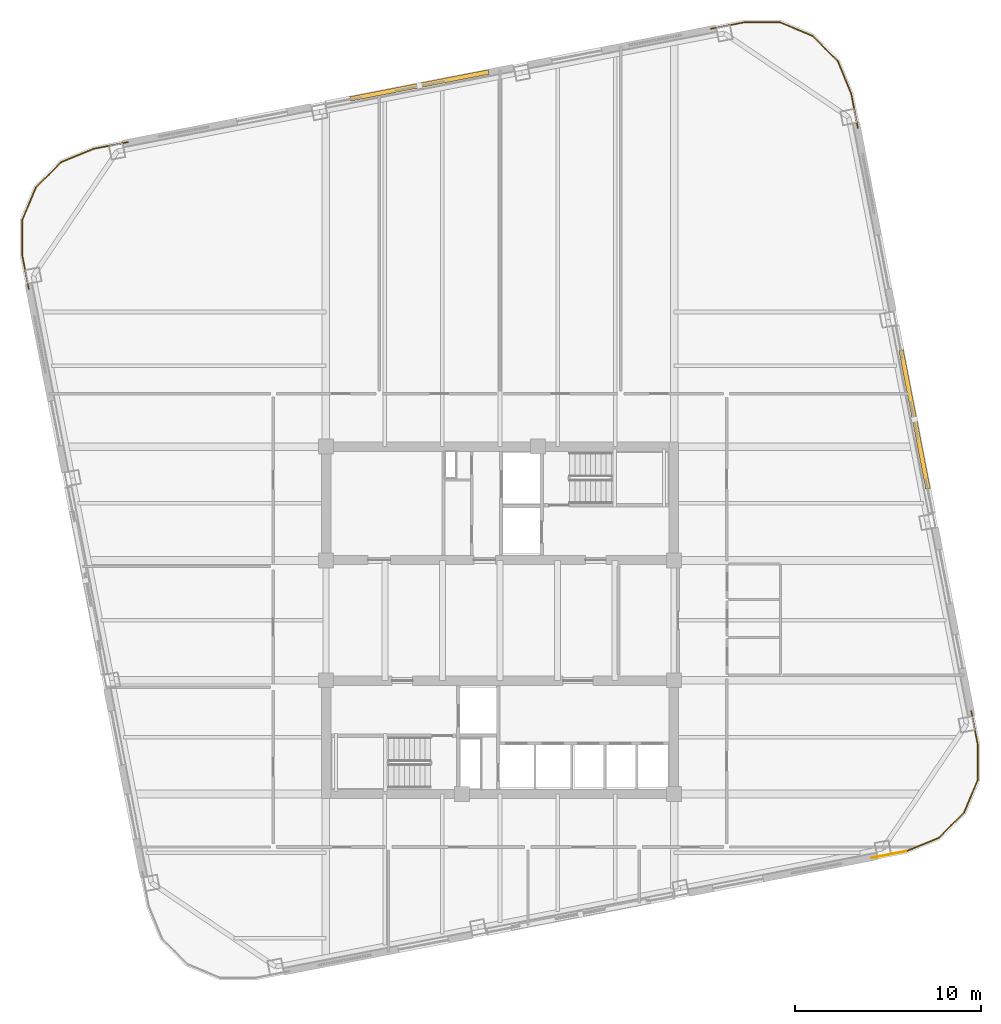
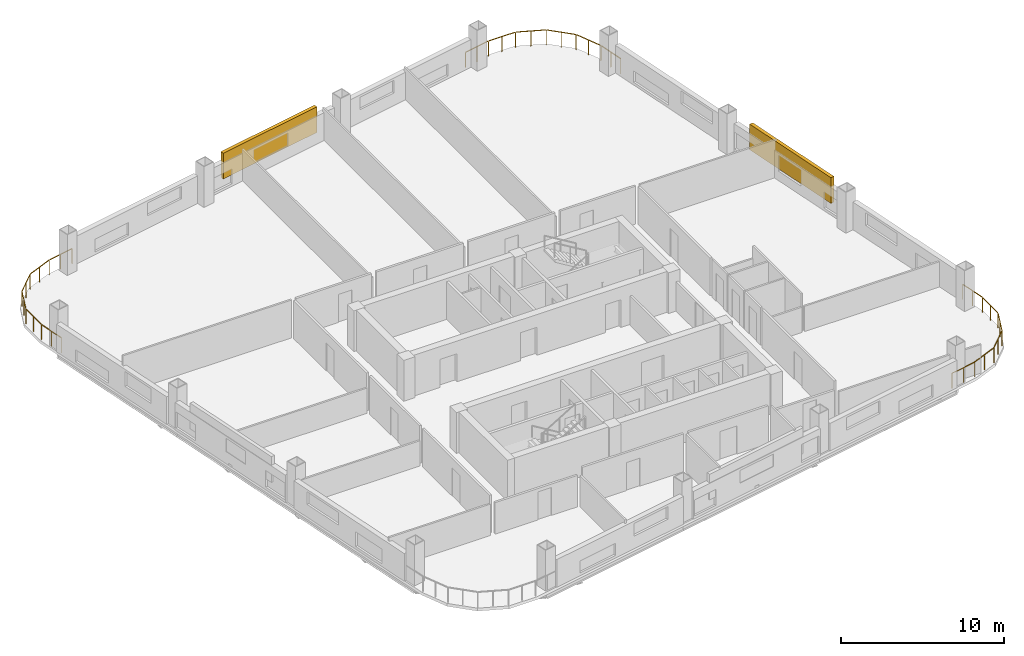
# One storey, part 9 of 9: 4 railings, 2 shading devices.
"""IFC4 building model written with IfcOpenShell, lengths in metres."""

import ifcopenshell
import ifcopenshell.guid

model = None  # the IFC model being written
_history = None  # IfcOwnerHistory: only IFC2X3 demands one
_inside = {}  # id of a spatial element -> (the spatial element, [elements in it])
_under = {}  # id of a project, library or spatial element -> (it, [spatial elements below it])
_declared = {}  # id of a project -> (the project, [libraries it declares])
_typed = {}  # id of a type object -> (the type object, [elements of that type])
_made_of = {}  # id of a material, layer set ... -> (it, [elements and type objects made of it])


def new_model(schema):
    """Start an empty IFC model of exactly this schema.

    Asked for "IFC4X3", IfcOpenShell would pick the latest addendum, in which some entities
    have other attributes; the version numbers below select the first issue.
    IFC2X3 requires an IfcOwnerHistory on every rooted entity: one is made here for all.
    """
    global model, _history
    if schema == "IFC4X3":
        model = ifcopenshell.file(schema_version=(4, 3, 0, 0))
    else:
        model = ifcopenshell.file(schema=schema)
    _inside.clear()
    _under.clear()
    _declared.clear()
    _typed.clear()
    _made_of.clear()
    _history = None
    if model.schema == "IFC2X3":
        org = make("IfcOrganization", Name="unknown")
        user = make(
            "IfcPersonAndOrganization",
            ThePerson=make("IfcPerson", FamilyName="unknown"),
            TheOrganization=org,
        )
        app = make(
            "IfcApplication",
            ApplicationDeveloper=org,
            Version="unknown",
            ApplicationFullName="unknown",
            ApplicationIdentifier="unknown",
        )
        _history = make(
            "IfcOwnerHistory",
            OwningUser=user,
            OwningApplication=app,
            ChangeAction="ADDED",
            CreationDate=0,
        )
    return model


def make(cls, **values):
    """One entity of the class cls with the attributes given. An attribute that is None is left unset."""
    return model.create_entity(
        cls, **{name: value for name, value in values.items() if value is not None}
    )


def rooted(cls, **values):
    """An entity with a GlobalId (a new one), such as an element, a storey or a relation."""
    return make(cls, GlobalId=ifcopenshell.guid.new(), OwnerHistory=_history, **values)


def si_unit(unit_type, name, prefix=None):
    """IfcSIUnit, for example si_unit("LENGTHUNIT", "METRE", prefix="MILLI")."""
    return make("IfcSIUnit", UnitType=unit_type, Prefix=prefix, Name=name)


def assignment(units):
    """IfcUnitAssignment: the units of a project."""
    return None if units is None else make("IfcUnitAssignment", Units=units)


def point(xyz):
    """IfcCartesianPoint."""
    return None if xyz is None else make("IfcCartesianPoint", Coordinates=xyz)


def direction(xyz):
    """IfcDirection."""
    return None if xyz is None else make("IfcDirection", DirectionRatios=xyz)


def frame(location, z_axis=None, x_axis=None):
    """IfcAxis2Placement3D, a coordinate frame: its origin and axes. An axis left out is left unset."""
    return make(
        "IfcAxis2Placement3D",
        Location=point(location),
        Axis=direction(z_axis),
        RefDirection=direction(x_axis),
    )


def frame_2d(location, x_axis=None):
    """IfcAxis2Placement2D, a coordinate frame in the plane: its origin and x axis."""
    return make(
        "IfcAxis2Placement2D", Location=point(location), RefDirection=direction(x_axis)
    )


def origin():
    """The frame at (0, 0, 0) with its axes left unset."""
    return frame((0.0, 0.0, 0.0))


def origin_2d():
    """The frame at (0, 0) in the plane with its x axis left unset."""
    return frame_2d((0.0, 0.0))


def place(relative_to, where):
    """IfcLocalPlacement: puts the frame where relative to a parent placement (None: the world)."""
    return make(
        "IfcLocalPlacement", PlacementRelTo=relative_to, RelativePlacement=where
    )


def context(
    kind, dimensions, precision=None, world=None, true_north=None, identifier=None
):
    """IfcGeometricRepresentationContext, for example the 3D "Model" context."""
    return make(
        "IfcGeometricRepresentationContext",
        ContextIdentifier=identifier,
        ContextType=kind,
        CoordinateSpaceDimension=dimensions,
        Precision=precision,
        WorldCoordinateSystem=world,
        TrueNorth=true_north,
    )


def subcontext(parent, identifier, kind, view, scale=None):
    """IfcGeometricRepresentationSubContext, for example "Body" below "Model"."""
    return make(
        "IfcGeometricRepresentationSubContext",
        ContextIdentifier=identifier,
        ContextType=kind,
        ParentContext=parent,
        TargetScale=scale,
        TargetView=view,
    )


def project(units=None, contexts=None):
    """IfcProject with its units and contexts."""
    return rooted(
        "IfcProject",
        Name="project",
        RepresentationContexts=contexts,
        UnitsInContext=assignment(units),
    )


def spatial(cls, under=None, at=None, **own):
    """A site, building, storey or space (cls), placed at a placement, below another one or the project."""
    s = rooted(cls, ObjectPlacement=at, **own)
    if under is not None:
        _under.setdefault(under.id(), (under, []))[1].append(s)
    return s


def profile(cls, at=None, kind="AREA", **sizes):
    """A parametric profile (cls). Its sizes go by their IFC names, for example OverallWidth=200.0."""
    return make(cls, ProfileType=kind, Position=at, **sizes)


def rectangle(**sizes):
    """IfcRectangleProfileDef."""
    return profile("IfcRectangleProfileDef", **sizes)


def extrude(swept, where, along, depth):
    """IfcExtrudedAreaSolid: the profile swept, set in the frame where, extruded along a direction by depth."""
    return make(
        "IfcExtrudedAreaSolid",
        SweptArea=swept,
        Position=where,
        ExtrudedDirection=direction(along),
        Depth=depth,
    )


def shape(context_of_items, identifier, shape_type, items):
    """IfcShapeRepresentation: the items that make up one representation, for example the "Body"."""
    return make(
        "IfcShapeRepresentation",
        ContextOfItems=context_of_items,
        RepresentationIdentifier=identifier,
        RepresentationType=shape_type,
        Items=items,
    )


def material(Name=None, Category=None):
    """IfcMaterial."""
    return make("IfcMaterial", Name=Name, Category=Category)


def made_of(thing, what):
    """Note that an element or type object is made of a material, layer set ...; save() writes the relation."""
    if what is not None:
        _made_of.setdefault(what.id(), (what, []))[1].append(thing)
    return thing


def type_object(cls, material=None, **own):
    """A type object (cls), such as IfcWallType, which elements share."""
    return made_of(rooted(cls, **own), material)


def element(
    cls,
    number,
    at=None,
    inside=None,
    cuts=None,
    type_object=None,
    material=None,
    context=None,
    identifier="Body",
    shape_type=None,
    held_by="IfcProductDefinitionShape",
    body=None,
    shapes=None,
    **own,
):
    """One element of the class cls, such as IfcWall. Its Tag is "e" and its number.

    at: its placement. inside: the storey or other place that contains it. cuts: it is an
    opening in that element (IfcRelVoidsElement). A single representation is given by context,
    identifier, shape_type and body (its items); several are given by shapes. held_by: the class
    of the entity that holds the representations. save() writes the other relations.
    """
    e = rooted(cls, Tag="e%d" % number, ObjectPlacement=at, **own)
    if body is not None:
        shapes = [shape(context, identifier, shape_type, body)]
    if shapes is not None:
        e.Representation = make(held_by, Representations=shapes)
    if inside is not None:
        _inside.setdefault(inside.id(), (inside, []))[1].append(e)
    if cuts is not None:
        rooted(
            "IfcRelVoidsElement", RelatingBuildingElement=cuts, RelatedOpeningElement=e
        )
    if type_object is not None:
        _typed.setdefault(type_object.id(), (type_object, []))[1].append(e)
    return made_of(e, material)


def aggregate(whole, parts):
    """IfcRelAggregates: a whole, such as a stair, and the parts it consists of."""
    return rooted("IfcRelAggregates", RelatingObject=whole, RelatedObjects=parts)


def save(model, path):
    """Write the relations noted so far, then the file.

    IfcRelAggregates (storeys below a building ...), IfcRelContainedInSpatialStructure (elements
    in a storey), IfcRelDefinesByType, IfcRelAssociatesMaterial and IfcRelDeclares: one each for
    every whole, place, type object, material and project.
    """
    for whole, parts in _under.values():
        aggregate(whole, parts)
    for where, things in _inside.values():
        rooted(
            "IfcRelContainedInSpatialStructure",
            RelatedElements=things,
            RelatingStructure=where,
        )
    for kind, things in _typed.values():
        rooted("IfcRelDefinesByType", RelatedObjects=things, RelatingType=kind)
    for what, things in _made_of.values():
        rooted("IfcRelAssociatesMaterial", RelatedObjects=things, RelatingMaterial=what)
    for by, libraries in _declared.values():
        rooted("IfcRelDeclares", RelatingContext=by, RelatedDefinitions=libraries)
    model.write(path)


model = new_model("IFC4")

# Units and contexts
model_context = context("Model", 3, precision=1e-05, world=origin(), true_north=direction((0.0, 1.0)))
body_context = subcontext(model_context, "Body", "Model", "MODEL_VIEW")
ifc_project = project(units=[si_unit("LENGTHUNIT", "METRE"), si_unit("AREAUNIT", "SQUARE_METRE"), si_unit("VOLUMEUNIT", "CUBIC_METRE"), si_unit("PLANEANGLEUNIT", "RADIAN"), si_unit("MASSUNIT", "GRAM", prefix="KILO")], contexts=[model_context])

# Site, building, storey
site_placement = place(None, origin())
site = spatial("IfcSite", under=ifc_project, at=site_placement, CompositionType="ELEMENT")
building_placement = place(site_placement, origin())
building = spatial("IfcBuilding", under=site, at=building_placement, Name="Qhalaya Broadcast Tower", CompositionType="ELEMENT")
storey_placement = place(building_placement, frame((0.0, 0.0, 134.14990234375)))
storey = spatial("IfcBuildingStorey", under=building, at=storey_placement, Name="L39", CompositionType="ELEMENT", Elevation=134.14990234375)

# Railings
ifc_material_1 = material(Name="Powder-Coated Galvanised Steel", Category="steel")
railing_type = type_object("IfcRailingType", Name="Terrace, Sky-Pool & Lookout Glass Balustrade 1150", PredefinedType="BALUSTRADE", material=ifc_material_1)
railing_1_placement = place(storey_placement, frame((21.847412109375, -11.82861328125, 0.0)))
element("IfcRailing", 1, at=railing_1_placement, inside=storey, type_object=railing_type, Name="L39 Rounded Corner Perimeter Guard 01", PredefinedType="BALUSTRADE", context=body_context, shape_type="SweptSolid", body=[
    extrude(rectangle(XDim=0.048095703125, YDim=0.048095703125, at=origin_2d()), frame((0.0, 0.0, 1.1259765625), z_axis=(-0.981618812261, -0.190852056357, 0.0), x_axis=(0.190852056357, -0.981618812261, 0.0)), (0.0, 0.0, 1.0), 1.856201171875),
    extrude(rectangle(XDim=0.0419921875, YDim=0.0419921875, at=origin_2d()), origin(), (0.0, 0.0, 1.0), 1.099853515625),
    extrude(rectangle(XDim=0.0419921875, YDim=0.0419921875, at=origin_2d()), frame((-0.9111328125, -0.17724609375, 0.0)), (0.0, 0.0, 1.0), 1.099853515625),
    extrude(rectangle(XDim=0.0419921875, YDim=0.0419921875, at=origin_2d()), frame((-1.822021484375, -0.354248046875, 0.0)), (0.0, 0.0, 1.0), 1.099853515625),
])
railing_2_placement = place(storey_placement, frame((-25.36181640625, 18.43115234375, 0.0)))
element("IfcRailing", 2, at=railing_2_placement, inside=storey, type_object=railing_type, Name="L39 Rounded Corner Perimeter Guard 03", PredefinedType="BALUSTRADE", context=body_context, shape_type="SweptSolid", body=[
    extrude(rectangle(XDim=0.048095703125, YDim=0.048095703125, at=origin_2d()), frame((0.0, 0.0, 1.1259765625), z_axis=(-0.190827417864, 0.981623602299, 0.0), x_axis=(-0.981623602299, -0.190827417864, 0.0)), (0.0, 0.0, 1.0), 1.82763671875),
    extrude(rectangle(XDim=0.048095703125, YDim=0.048095703125, at=origin_2d()), frame((-0.35400390625, 1.85107421875, 1.1259765625), z_axis=(0.004334482484, 0.999990606087, 0.0), x_axis=(-0.999990606087, 0.004334482484, 0.0)), (0.0, 0.0, 1.0), 1.857421875),
    extrude(rectangle(XDim=0.048095703125, YDim=0.048095703125, at=origin_2d()), frame((-0.334716796875, 3.763916015625, 1.1259765625), z_axis=(0.386754828875, 0.922182575384, 0.0), x_axis=(-0.922182575384, 0.386754828875, 0.0)), (0.0, 0.0, 1.0), 1.845458984375),
    extrude(rectangle(XDim=0.048095703125, YDim=0.048095703125, at=origin_2d()), frame((0.41064453125, 5.5126953125, 1.1259765625), z_axis=(0.710178888649, 0.704021268228, 0.0), x_axis=(-0.704021268228, 0.710178888649, 0.0)), (0.0, 0.0, 1.0), 1.845458984375),
    extrude(rectangle(XDim=0.048095703125, YDim=0.048095703125, at=origin_2d()), frame((1.768310546875, 6.84326171875, 1.1259765625), z_axis=(0.92552055863, 0.378697366711, 0.0), x_axis=(-0.378697366711, 0.92552055863, 0.0)), (0.0, 0.0, 1.0), 1.857666015625),
    extrude(rectangle(XDim=0.048095703125, YDim=0.048095703125, at=origin_2d()), frame((3.542724609375, 7.563232421875, 1.1259765625), z_axis=(0.981643446311, 0.190725311155, 0.0), x_axis=(-0.190725311155, 0.981643446311, 0.0)), (0.0, 0.0, 1.0), 1.8271484375),
    extrude(rectangle(XDim=0.0419921875, YDim=0.0419921875, at=origin_2d()), origin(), (0.0, 0.0, 1.0), 1.099853515625),
    extrude(rectangle(XDim=0.0419921875, YDim=0.0419921875, at=origin_2d()), frame((-0.17724609375, 0.9111328125, 0.0)), (0.0, 0.0, 1.0), 1.099853515625),
    extrude(rectangle(XDim=0.0419921875, YDim=0.0419921875, at=origin_2d()), frame((-0.354248046875, 1.822265625, 0.0)), (0.0, 0.0, 1.0), 1.099853515625),
    extrude(rectangle(XDim=0.0419921875, YDim=0.0419921875, at=origin_2d()), frame((-0.35009765625, 2.77978515625, 0.0)), (0.0, 0.0, 1.0), 1.099853515625),
    extrude(rectangle(XDim=0.0419921875, YDim=0.0419921875, at=origin_2d()), frame((-0.345947265625, 3.7373046875, 0.0)), (0.0, 0.0, 1.0), 1.099853515625),
    extrude(rectangle(XDim=0.0419921875, YDim=0.0419921875, at=origin_2d()), frame((0.02197265625, 4.61474609375, 0.0)), (0.0, 0.0, 1.0), 1.099853515625),
    extrude(rectangle(XDim=0.0419921875, YDim=0.0419921875, at=origin_2d()), frame((0.39013671875, 5.492431640625, 0.0)), (0.0, 0.0, 1.0), 1.099853515625),
    extrude(rectangle(XDim=0.0419921875, YDim=0.0419921875, at=origin_2d()), frame((1.06591796875, 6.162353515625, 0.0)), (0.0, 0.0, 1.0), 1.099853515625),
    extrude(rectangle(XDim=0.0419921875, YDim=0.0419921875, at=origin_2d()), frame((1.74169921875, 6.832275390625, 0.0)), (0.0, 0.0, 1.0), 1.099853515625),
    extrude(rectangle(XDim=0.0419921875, YDim=0.0419921875, at=origin_2d()), frame((2.6279296875, 7.19482421875, 0.0)), (0.0, 0.0, 1.0), 1.099853515625),
    extrude(rectangle(XDim=0.0419921875, YDim=0.0419921875, at=origin_2d()), frame((3.514404296875, 7.5576171875, 0.0)), (0.0, 0.0, 1.0), 1.099853515625),
    extrude(rectangle(XDim=0.0419921875, YDim=0.0419921875, at=origin_2d()), frame((4.42529296875, 7.734619140625, 0.0)), (0.0, 0.0, 1.0), 1.099853515625),
    extrude(rectangle(XDim=0.0419921875, YDim=0.0419921875, at=origin_2d()), frame((5.33642578125, 7.91162109375, 0.0)), (0.0, 0.0, 1.0), 1.099853515625),
])
railing_3_placement = place(storey_placement, frame((11.351318359375, 32.44189453125, 0.0)))
element("IfcRailing", 3, at=railing_3_placement, inside=storey, type_object=railing_type, Name="L39 Rounded Corner Perimeter Guard 04", PredefinedType="BALUSTRADE", context=body_context, shape_type="SweptSolid", body=[
    extrude(rectangle(XDim=0.048095703125, YDim=0.048095703125, at=origin_2d()), frame((0.0, 0.0, 1.1259765625), z_axis=(0.981643446311, 0.190725311155, 0.0), x_axis=(-0.190725311155, 0.981643446311, 0.0)), (0.0, 0.0, 1.0), 1.8271484375),
    extrude(rectangle(XDim=0.048095703125, YDim=0.048095703125, at=origin_2d()), frame((1.850830078125, 0.353759765625, 1.1259765625), z_axis=(0.999990606087, -0.004334482484, 0.0), x_axis=(0.004334482484, 0.999990606087, 0.0)), (0.0, 0.0, 1.0), 1.857421875),
    extrude(rectangle(XDim=0.048095703125, YDim=0.048095703125, at=origin_2d()), frame((3.763671875, 0.33447265625, 1.1259765625), z_axis=(0.922247496545, -0.386599993684, 0.0), x_axis=(0.386599993684, 0.922247496545, 0.0)), (0.0, 0.0, 1.0), 1.845703125),
    extrude(rectangle(XDim=0.048095703125, YDim=0.048095703125, at=origin_2d()), frame((5.5126953125, -0.41064453125, 1.1259765625), z_axis=(0.704021268228, -0.710178888649, 0.0), x_axis=(0.710178888649, 0.704021268228, 0.0)), (0.0, 0.0, 1.0), 1.845458984375),
    extrude(rectangle(XDim=0.048095703125, YDim=0.048095703125, at=origin_2d()), frame((6.84326171875, -1.768310546875, 1.1259765625), z_axis=(0.378588174109, -0.925565229698, 0.0), x_axis=(0.925565229698, 0.378588174109, 0.0)), (0.0, 0.0, 1.0), 1.857666015625),
    extrude(rectangle(XDim=0.048095703125, YDim=0.048095703125, at=origin_2d()), frame((7.56298828125, -3.542724609375, 1.1259765625), z_axis=(0.190725311155, -0.981643446311, 0.0), x_axis=(0.981643446311, 0.190725311155, 0.0)), (0.0, 0.0, 1.0), 1.8271484375),
    extrude(rectangle(XDim=0.0419921875, YDim=0.0419921875, at=origin_2d()), origin(), (0.0, 0.0, 1.0), 1.099853515625),
    extrude(rectangle(XDim=0.0419921875, YDim=0.0419921875, at=origin_2d()), frame((0.9111328125, 0.177001953125, 0.0)), (0.0, 0.0, 1.0), 1.099853515625),
    extrude(rectangle(XDim=0.0419921875, YDim=0.0419921875, at=origin_2d()), frame((1.822021484375, 0.35400390625, 0.0)), (0.0, 0.0, 1.0), 1.099853515625),
    extrude(rectangle(XDim=0.0419921875, YDim=0.0419921875, at=origin_2d()), frame((2.779541015625, 0.349853515625, 0.0)), (0.0, 0.0, 1.0), 1.099853515625),
    extrude(rectangle(XDim=0.0419921875, YDim=0.0419921875, at=origin_2d()), frame((3.737060546875, 0.345703125, 0.0)), (0.0, 0.0, 1.0), 1.099853515625),
    extrude(rectangle(XDim=0.0419921875, YDim=0.0419921875, at=origin_2d()), frame((4.61474609375, -0.022216796875, 0.0)), (0.0, 0.0, 1.0), 1.099853515625),
    extrude(rectangle(XDim=0.0419921875, YDim=0.0419921875, at=origin_2d()), frame((5.492431640625, -0.39013671875, 0.0)), (0.0, 0.0, 1.0), 1.099853515625),
    extrude(rectangle(XDim=0.0419921875, YDim=0.0419921875, at=origin_2d()), frame((6.162353515625, -1.06591796875, 0.0)), (0.0, 0.0, 1.0), 1.099853515625),
    extrude(rectangle(XDim=0.0419921875, YDim=0.0419921875, at=origin_2d()), frame((6.832275390625, -1.74169921875, 0.0)), (0.0, 0.0, 1.0), 1.099853515625),
    extrude(rectangle(XDim=0.0419921875, YDim=0.0419921875, at=origin_2d()), frame((7.19482421875, -2.6279296875, 0.0)), (0.0, 0.0, 1.0), 1.099853515625),
    extrude(rectangle(XDim=0.0419921875, YDim=0.0419921875, at=origin_2d()), frame((7.557373046875, -3.514404296875, 0.0)), (0.0, 0.0, 1.0), 1.099853515625),
    extrude(rectangle(XDim=0.0419921875, YDim=0.0419921875, at=origin_2d()), frame((7.734375, -4.42529296875, 0.0)), (0.0, 0.0, 1.0), 1.099853515625),
    extrude(rectangle(XDim=0.0419921875, YDim=0.0419921875, at=origin_2d()), frame((7.911376953125, -5.33642578125, 0.0)), (0.0, 0.0, 1.0), 1.099853515625),
])
railing_4_placement = place(storey_placement, frame((25.36181640625, -4.271240234375, 0.0)))
element("IfcRailing", 4, at=railing_4_placement, inside=storey, type_object=railing_type, Name="L39 Rounded Corner Perimeter Guard 05", PredefinedType="BALUSTRADE", context=body_context, shape_type="SweptSolid", body=[
    extrude(rectangle(XDim=0.048095703125, YDim=0.048095703125, at=origin_2d()), frame((0.0, 0.0, 1.1259765625), z_axis=(0.190827417864, -0.981623602299, 0.0), x_axis=(0.981623602299, 0.190827417864, 0.0)), (0.0, 0.0, 1.0), 1.82763671875),
    extrude(rectangle(XDim=0.048095703125, YDim=0.048095703125, at=origin_2d()), frame((0.35400390625, -1.85107421875, 1.1259765625), z_axis=(-0.004334482484, -0.999990606087, 0.0), x_axis=(0.999990606087, -0.004334482484, 0.0)), (0.0, 0.0, 1.0), 1.857421875),
    extrude(rectangle(XDim=0.048095703125, YDim=0.048095703125, at=origin_2d()), frame((0.334716796875, -3.763916015625, 1.1259765625), z_axis=(-0.386754828875, -0.922182575384, 0.0), x_axis=(0.922182575384, -0.386754828875, 0.0)), (0.0, 0.0, 1.0), 1.845458984375),
    extrude(rectangle(XDim=0.048095703125, YDim=0.048095703125, at=origin_2d()), frame((-0.41064453125, -5.5126953125, 1.1259765625), z_axis=(-0.710178888649, -0.704021268228, 0.0), x_axis=(0.704021268228, -0.710178888649, 0.0)), (0.0, 0.0, 1.0), 1.845458984375),
    extrude(rectangle(XDim=0.048095703125, YDim=0.048095703125, at=origin_2d()), frame((-1.768310546875, -6.84326171875, 1.1259765625), z_axis=(-0.925565229698, -0.378588174109, 0.0), x_axis=(0.378588174109, -0.925565229698, 0.0)), (0.0, 0.0, 1.0), 1.886474609375),
    extrude(rectangle(XDim=0.0419921875, YDim=0.0419921875, at=origin_2d()), origin(), (0.0, 0.0, 1.0), 1.099853515625),
    extrude(rectangle(XDim=0.0419921875, YDim=0.0419921875, at=origin_2d()), frame((0.17724609375, -0.9111328125, 0.0)), (0.0, 0.0, 1.0), 1.099853515625),
    extrude(rectangle(XDim=0.0419921875, YDim=0.0419921875, at=origin_2d()), frame((0.354248046875, -1.822265625, 0.0)), (0.0, 0.0, 1.0), 1.099853515625),
    extrude(rectangle(XDim=0.0419921875, YDim=0.0419921875, at=origin_2d()), frame((0.35009765625, -2.77978515625, 0.0)), (0.0, 0.0, 1.0), 1.099853515625),
    extrude(rectangle(XDim=0.0419921875, YDim=0.0419921875, at=origin_2d()), frame((0.345947265625, -3.7373046875, 0.0)), (0.0, 0.0, 1.0), 1.099853515625),
    extrude(rectangle(XDim=0.0419921875, YDim=0.0419921875, at=origin_2d()), frame((-0.02197265625, -4.61474609375, 0.0)), (0.0, 0.0, 1.0), 1.099853515625),
    extrude(rectangle(XDim=0.0419921875, YDim=0.0419921875, at=origin_2d()), frame((-0.39013671875, -5.492431640625, 0.0)), (0.0, 0.0, 1.0), 1.099853515625),
    extrude(rectangle(XDim=0.0419921875, YDim=0.0419921875, at=origin_2d()), frame((-1.06591796875, -6.162353515625, 0.0)), (0.0, 0.0, 1.0), 1.099853515625),
    extrude(rectangle(XDim=0.0419921875, YDim=0.0419921875, at=origin_2d()), frame((-1.74169921875, -6.832275390625, 0.0)), (0.0, 0.0, 1.0), 1.099853515625),
    extrude(rectangle(XDim=0.0419921875, YDim=0.0419921875, at=origin_2d()), frame((-2.6279296875, -7.19482421875, 0.0)), (0.0, 0.0, 1.0), 1.099853515625),
    extrude(rectangle(XDim=0.0419921875, YDim=0.0419921875, at=origin_2d()), frame((-3.514404296875, -7.557373046875, 0.0)), (0.0, 0.0, 1.0), 1.099853515625),
])

# Shading devices
ifc_material_2 = material(Name="Fired Architectural Terracotta", Category="masonry")
shading_device_type = type_object("IfcShadingDeviceType", Name="Terracotta Baguette Solar Screen Assembly TBS-01", PredefinedType="USERDEFINED", material=ifc_material_2)
for number, where, z_axis, x_axis, name in (
    (5, (22.3125, 11.4169921875, 0.79248046875), (0.0, 0.0, 1.0), (-0.190808995377, 0.981627183448, 0.0), "L39 Fired Terracotta Baguette Screen E"),
    (6, (-4.337158203125, 29.392333984375, 0.79248046875), (0.0, 0.0, 1.0), (-0.981627183448, -0.190808995377, 0.0), "L39 Fired Terracotta Baguette Screen N"),
):
    element("IfcShadingDevice", number, at=place(storey_placement, frame(where, z_axis=z_axis, x_axis=x_axis)), inside=storey, type_object=shading_device_type, Name=name, ObjectType="BAGUETTE", PredefinedType="USERDEFINED", context=body_context, shape_type="SweptSolid", body=[
        extrude(rectangle(XDim=7.60009765625, YDim=0.239990234375, at=origin_2d()), origin(), (0.0, 0.0, 1.0), 1.924072265625),
    ])

save(model, "model.ifc")
